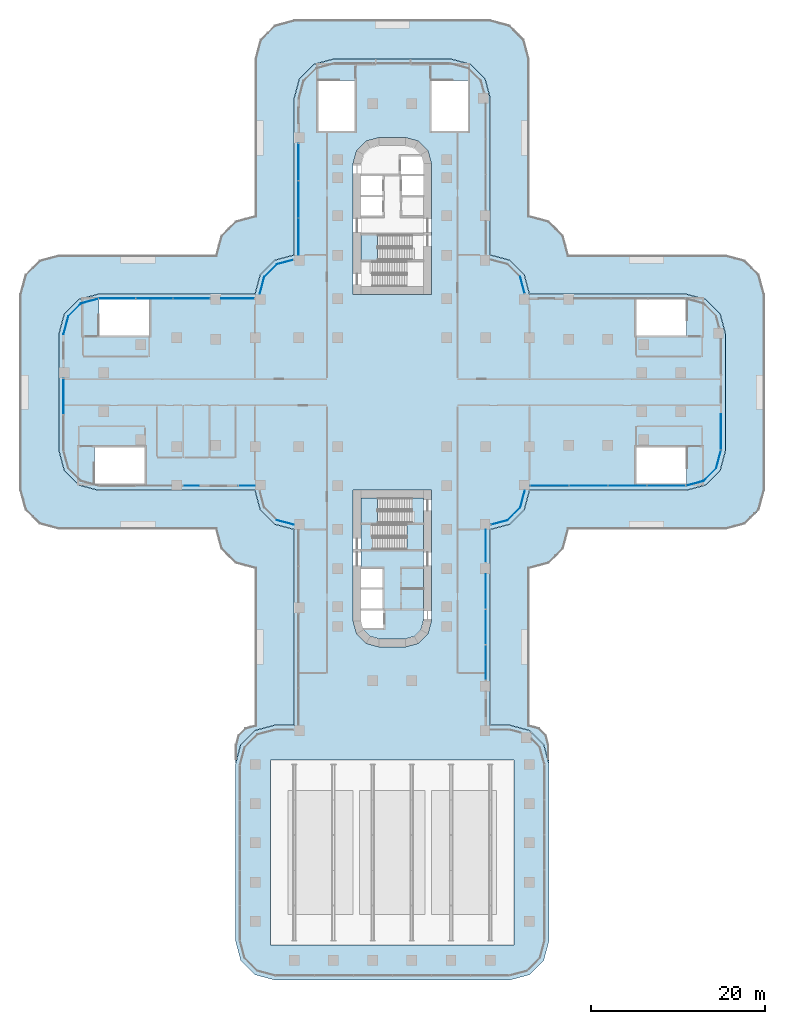
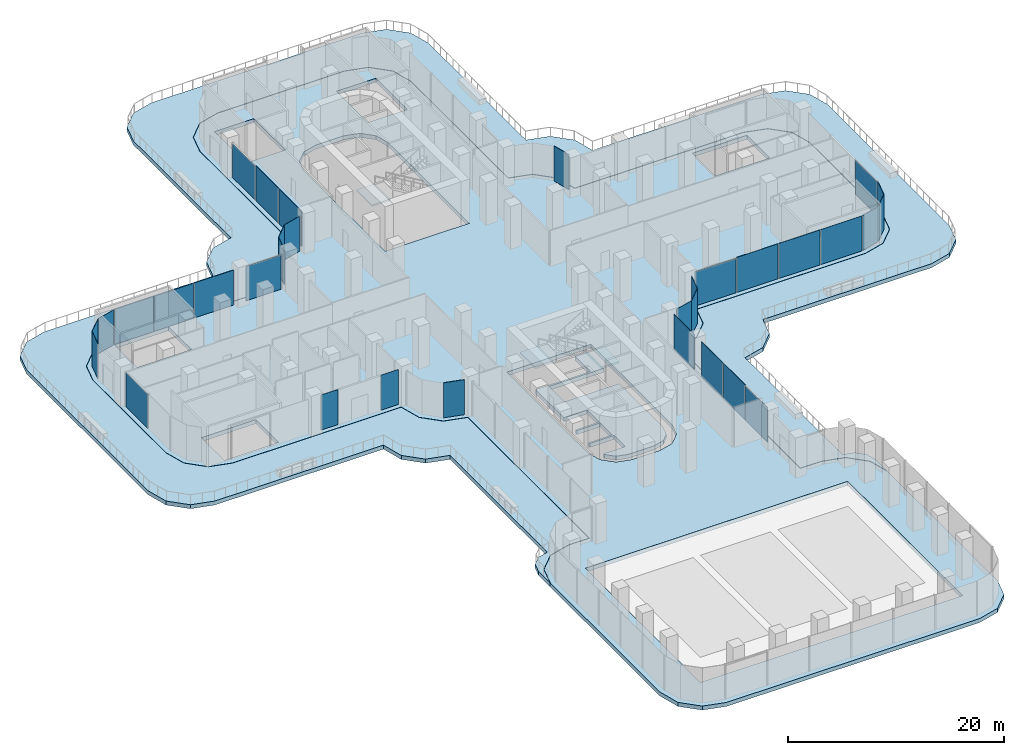
# One storey, part 10 of 21: 33 plates, 6 slabs, 24 elements without a shape of their own.
"""IFC4 building model written with IfcOpenShell, lengths in metres."""

from ifc_helpers import new_model, si_unit, direction, frame, origin, place, context, subcontext, project, spatial, polyline, outline, extrude, source, transform, mapped, material, layer, layer_set, type_object, element, aggregate, save


model = new_model("IFC4")

# Units and contexts
model_context = context("Model", 3, precision=1e-05, world=origin(), true_north=direction((0.0, 1.0)))
body_context = subcontext(model_context, "Body", "Model", "MODEL_VIEW")
ifc_project = project(units=[si_unit("LENGTHUNIT", "METRE"), si_unit("AREAUNIT", "SQUARE_METRE"), si_unit("VOLUMEUNIT", "CUBIC_METRE"), si_unit("PLANEANGLEUNIT", "RADIAN"), si_unit("MASSUNIT", "GRAM", prefix="KILO")], contexts=[model_context])

# Site, building, storey
site_placement = place(None, origin())
site = spatial("IfcSite", under=ifc_project, at=site_placement, CompositionType="ELEMENT")
building_placement = place(site_placement, origin())
building = spatial("IfcBuilding", under=site, at=building_placement, Name="Zarbagh Exchange Tower", CompositionType="ELEMENT")
storey_placement = place(building_placement, frame((0.0, 0.0, 22.0)))
storey = spatial("IfcBuildingStorey", under=building, at=storey_placement, Name="L04", CompositionType="ELEMENT", Elevation=22.0)

# Slabs
ifc_material_1 = material(Name="Concrete C50/60", Category="concrete")
ifc_layer_1 = layer(ifc_material_1, 0.449951171875)
ifc_layer_set_1 = layer_set([ifc_layer_1], Name="Core floor slab 450 C50/60")
slab_type_1 = type_object("IfcSlabType", Name="Core floor slab 450 C50/60", PredefinedType="FLOOR", material=ifc_layer_set_1)
slab_1_placement = place(storey_placement, frame((0.0, 0.0, -0.449951171875)))
element("IfcSlab", 1, at=slab_1_placement, inside=storey, type_object=slab_type_1, Name="S16 core S", PredefinedType="FLOOR", context=body_context, shape_type="SweptSolid", body=[
    extrude(outline(polyline([(-2.5341796875, -28.041259765625), (-3.291259765625, -27.2841796875), (-3.340576171875, -27.10009765625), (-1.0, -27.10009765625), (-1.0, -25.050048828125), (-3.60009765625, -25.050048828125), (-3.60009765625, -24.85009765625), (-1.10009765625, -24.85009765625), (-1.10009765625, -22.64990234375), (-3.60009765625, -22.64990234375), (-3.60009765625, -22.449951171875), (-1.10009765625, -22.449951171875), (-1.10009765625, -20.25), (-3.60009765625, -20.25), (-3.60009765625, -15.0), (2.25, -15.0), (2.25, -12.14990234375), (3.60009765625, -12.14990234375), (3.60009765625, -15.199951171875), (-2.25, -15.199951171875), (-2.25, -18.050048828125), (3.60009765625, -18.050048828125), (3.60009765625, -26.131591796875), (3.291259765625, -27.2841796875), (2.5341796875, -28.041259765625), (1.381591796875, -28.35009765625), (-1.381591796875, -28.35009765625), (-2.5341796875, -28.041259765625)])), origin(), (0.0, 0.0, 1.0), 0.449951171875),
])
ifc_layer_2 = layer(ifc_material_1, 0.449951171875)
ifc_layer_set_2 = layer_set([ifc_layer_2], Name="Flat slab 450 C50/60")
slab_type_2 = type_object("IfcSlabType", Name="Flat slab 450 C50/60", PredefinedType="FLOOR", material=ifc_layer_set_2)
slab_2_placement = place(storey_placement, frame((0.0, 0.0, -0.449951171875)))
element("IfcSlab", 2, at=slab_2_placement, inside=storey, type_object=slab_type_2, Name="S4 flat slab", PredefinedType="FLOOR", context=body_context, shape_type="SweptSolid", body=[
    extrude(outline(polyline([(15.75, -66.897216796875), (13.5, -67.5), (-13.5, -67.5), (-15.75, -66.897216796875), (-17.397216796875, -65.25), (-18.0, -63.0), (-18.0, -42.75), (-17.397216796875, -40.5), (-15.75, -38.852783203125), (-13.5, -38.25), (-11.25, -38.25), (-11.25, -15.75), (-13.5, -15.147216796875), (-15.147216796875, -13.5), (-15.75, -11.25), (-33.75, -11.25), (-36.0, -10.647216796875), (-37.647216796875, -9.0), (-38.25, -6.75), (-38.25, 6.75), (-37.647216796875, 9.0), (-36.0, 10.647216796875), (-33.75, 11.25), (-15.75, 11.25), (-15.147216796875, 13.5), (-13.5, 15.147216796875), (-11.25, 15.75), (-11.25, 33.75), (-10.647216796875, 36.0), (-9.0, 37.647216796875), (-6.75, 38.25), (6.75, 38.25), (9.0, 37.647216796875), (10.647216796875, 36.0), (11.25, 33.75), (11.25, 15.75), (13.5, 15.147216796875), (15.147216796875, 13.5), (15.75, 11.25), (33.75, 11.25), (36.0, 10.647216796875), (37.647216796875, 9.0), (38.25, 6.75), (38.25, -6.75), (37.647216796875, -9.0), (36.0, -10.647216796875), (33.75, -11.25), (15.75, -11.25), (15.147216796875, -13.5), (13.5, -15.147216796875), (11.25, -15.75), (11.25, -38.25), (13.5, -38.25), (15.75, -38.852783203125), (17.397216796875, -40.5), (18.0, -42.75), (18.0, -63.0), (17.397216796875, -65.25), (15.75, -66.897216796875)]), holes=[polyline([(-14.0, -63.5), (14.0, -63.5), (14.0, -42.25), (-14.0, -42.25), (-14.0, -63.5)]), polyline([(4.5, 26.25), (4.09814453125, 27.75), (3.0, 28.84814453125), (1.5, 29.25), (-1.5, 29.25), (-3.0, 28.84814453125), (-4.09814453125, 27.75), (-4.5, 26.25), (-4.5, 11.25), (4.5, 11.25), (4.5, 26.25)]), polyline([(1.5, -29.25), (3.0, -28.84814453125), (4.09814453125, -27.75), (4.5, -26.25), (4.5, -11.25), (-4.5, -11.25), (-4.5, -26.25), (-4.09814453125, -27.75), (-3.0, -28.84814453125), (-1.5, -29.25), (1.5, -29.25)]), polyline([(-34.199951171875, -6.300048828125), (-34.199951171875, -10.5), (-28.39990234375, -10.5), (-28.39990234375, -6.300048828125), (-34.199951171875, -6.300048828125)]), polyline([(28.0, -10.5), (33.800048828125, -10.5), (33.800048828125, -6.300048828125), (28.0, -6.300048828125), (28.0, -10.5)]), polyline([(-27.89990234375, 10.699951171875), (-33.699951171875, 10.699951171875), (-33.699951171875, 6.5), (-27.89990234375, 6.5), (-27.89990234375, 10.699951171875)]), polyline([(33.800048828125, 6.5), (33.800048828125, 10.699951171875), (28.0, 10.699951171875), (28.0, 6.5), (33.800048828125, 6.5)]), polyline([(-4.300048828125, 30.0), (-4.300048828125, 35.800048828125), (-8.5, 35.800048828125), (-8.5, 30.0), (-4.300048828125, 30.0)]), polyline([(8.699951171875, 30.0), (8.699951171875, 35.800048828125), (4.5, 35.800048828125), (4.5, 30.0), (8.699951171875, 30.0)])]), origin(), (0.0, 0.0, 1.0), 0.449951171875),
])
ifc_layer_3 = layer(ifc_material_1, 0.449951171875)
ifc_layer_set_3 = layer_set([ifc_layer_3], Name="Podium terrace roof slab 450 C50/60")
slab_type_3 = type_object("IfcSlabType", Name="Podium terrace roof slab 450 C50/60", PredefinedType="ROOF", material=ifc_layer_set_3)
slab_3_placement = place(storey_placement, frame((0.0, 0.0, -0.449951171875)))
element("IfcSlab", 3, at=slab_3_placement, inside=storey, type_object=slab_type_3, Name="S8 podium terrace roof slab", PredefinedType="ROOF", context=body_context, shape_type="SweptSolid", body=[
    extrude(outline(polyline([(-18.0, -40.5), (-17.698486328125, -39.375), (-16.875, -38.551513671875), (-15.75, -38.25), (-15.75, -20.25), (-18.0, -19.647216796875), (-19.647216796875, -18.0), (-20.25, -15.75), (-38.25, -15.75), (-40.5, -15.147216796875), (-42.147216796875, -13.5), (-42.75, -11.25), (-42.75, 11.25), (-42.147216796875, 13.5), (-40.5, 15.147216796875), (-38.25, 15.75), (-20.25, 15.75), (-19.647216796875, 18.0), (-18.0, 19.647216796875), (-15.75, 20.25), (-15.75, 38.25), (-15.147216796875, 40.5), (-13.5, 42.147216796875), (-11.25, 42.75), (11.25, 42.75), (13.5, 42.147216796875), (15.147216796875, 40.5), (15.75, 38.25), (15.75, 20.25), (18.0, 19.647216796875), (19.647216796875, 18.0), (20.25, 15.75), (38.25, 15.75), (40.5, 15.147216796875), (42.147216796875, 13.5), (42.75, 11.25), (42.75, -11.25), (42.147216796875, -13.5), (40.5, -15.147216796875), (38.25, -15.75), (20.25, -15.75), (19.647216796875, -18.0), (18.0, -19.647216796875), (15.75, -20.25), (15.75, -38.25), (16.875, -38.551513671875), (17.698486328125, -39.375), (18.0, -40.5), (18.0, -42.6533203125), (17.41943359375, -40.487060546875), (15.762939453125, -38.83056640625), (13.50341796875, -38.22509765625), (11.27490234375, -38.22509765625), (11.27490234375, -15.769287109375), (13.512939453125, -15.16943359375), (15.16943359375, -13.512939453125), (15.769287109375, -11.27490234375), (33.75341796875, -11.27490234375), (36.012939453125, -10.66943359375), (37.66943359375, -9.012939453125), (38.27490234375, -6.75341796875), (38.27490234375, 6.75341796875), (37.66943359375, 9.012939453125), (36.012939453125, 10.66943359375), (33.75341796875, 11.27490234375), (15.769287109375, 11.27490234375), (15.16943359375, 13.512939453125), (13.512939453125, 15.16943359375), (11.27490234375, 15.769287109375), (11.27490234375, 33.75341796875), (10.66943359375, 36.012939453125), (9.012939453125, 37.66943359375), (6.75341796875, 38.27490234375), (-6.75341796875, 38.27490234375), (-9.012939453125, 37.66943359375), (-10.66943359375, 36.012939453125), (-11.27490234375, 33.75341796875), (-11.27490234375, 15.769287109375), (-13.512939453125, 15.16943359375), (-15.16943359375, 13.512939453125), (-15.769287109375, 11.27490234375), (-33.75341796875, 11.27490234375), (-36.012939453125, 10.66943359375), (-37.66943359375, 9.012939453125), (-38.27490234375, 6.75341796875), (-38.27490234375, -6.75341796875), (-37.66943359375, -9.012939453125), (-36.012939453125, -10.66943359375), (-33.75341796875, -11.27490234375), (-15.769287109375, -11.27490234375), (-15.16943359375, -13.512939453125), (-13.512939453125, -15.16943359375), (-11.27490234375, -15.769287109375), (-11.27490234375, -38.22509765625), (-13.50341796875, -38.22509765625), (-15.762939453125, -38.83056640625), (-17.41943359375, -40.487060546875), (-18.0, -42.6533203125), (-18.0, -40.5)])), origin(), (0.0, 0.0, 1.0), 0.449951171875),
])

# Stair, slab
ifc_material_2 = material(Name="Concrete C40/50", Category="concrete")
stair_type = type_object("IfcStairType", Name="Exit stair two-flight half-turn", PredefinedType="HALF_TURN_STAIR", material=ifc_material_2)
stair_1_placement = place(storey_placement, origin())
stair_1 = element("IfcStair", 4, at=stair_1_placement, inside=storey, type_object=stair_type, Name="exit stair ST1", PredefinedType="HALF_TURN_STAIR")
ifc_layer_4 = layer(ifc_material_2, 0.199951171875)
ifc_layer_set_4 = layer_set([ifc_layer_4], Name="Stair landing 200 mm")
slab_type_4 = type_object("IfcSlabType", Name="Stair landing 200 mm", PredefinedType="LANDING", material=ifc_layer_set_4)
slab_4_placement = place(storey_placement, frame((0.0, 0.0, 2.300048828125)))
slab_4 = element("IfcSlab", 5, at=slab_4_placement, type_object=slab_type_4, Name="ST1 landing 1", PredefinedType="LANDING", context=body_context, shape_type="SweptSolid", body=[
    extrude(outline(polyline([(-1.669921875, 18.050048828125), (-3.60009765625, 18.050048828125), (-3.60009765625, 15.199951171875), (-1.669921875, 15.199951171875), (-1.669921875, 18.050048828125)])), origin(), (0.0, 0.0, 1.0), 0.199951171875),
])
aggregate(stair_1, [slab_4])

stair_2_placement = place(storey_placement, origin())
stair_2 = element("IfcStair", 6, at=stair_2_placement, inside=storey, type_object=stair_type, Name="exit stair ST3", PredefinedType="HALF_TURN_STAIR")
slab_5_placement = place(storey_placement, frame((0.0, 0.0, 2.300048828125)))
slab_5 = element("IfcSlab", 7, at=slab_5_placement, type_object=slab_type_4, Name="ST3 landing 1", PredefinedType="LANDING", context=body_context, shape_type="SweptSolid", body=[
    extrude(outline(polyline([(1.669921875, -18.050048828125), (3.60009765625, -18.050048828125), (3.60009765625, -15.199951171875), (1.669921875, -15.199951171875), (1.669921875, -18.050048828125)])), origin(), (0.0, 0.0, 1.0), 0.199951171875),
])
aggregate(stair_2, [slab_5])

stair_3_placement = place(storey_placement, origin())
stair_3 = element("IfcStair", 8, at=stair_3_placement, inside=storey, type_object=stair_type, Name="exit stair ST4", PredefinedType="HALF_TURN_STAIR")
slab_6_placement = place(storey_placement, frame((0.0, 0.0, 2.300048828125)))
slab_6 = element("IfcSlab", 9, at=slab_6_placement, type_object=slab_type_4, Name="ST4 landing 1", PredefinedType="LANDING", context=body_context, shape_type="SweptSolid", body=[
    extrude(outline(polyline([(-1.669921875, -12.14990234375), (-3.60009765625, -12.14990234375), (-3.60009765625, -15.0), (-1.669921875, -15.0), (-1.669921875, -12.14990234375)])), origin(), (0.0, 0.0, 1.0), 0.199951171875),
])
aggregate(stair_3, [slab_6])

# Curtain wall, plates
ifc_material_3 = material(Name="Anodised aluminium frame and glazing", Category="aluminium")
curtain_wall_type = type_object("IfcCurtainWallType", Name="CWC Podium garden-wall glazing", PredefinedType="NOTDEFINED", material=ifc_material_3)
curtain_wall_1_placement = place(storey_placement, origin())
curtain_wall_1 = element("IfcCurtainWall", 10, at=curtain_wall_1_placement, inside=storey, type_object=curtain_wall_type, Name="CWC187 curtain wall", PredefinedType="NOTDEFINED")
ifc_material_4 = material(Name="Low-e double glazed unit, 6+12+6 mm")
ifc_layer_5 = layer(ifc_material_4, 0.031982421875)
ifc_layer_set_5 = layer_set([ifc_layer_5], Name="PAC Glazing panel, Low-e double glazed unit, 6+12+6 mm")
plate_type = type_object("IfcPlateType", Name="PAC Glazing panel, Low-e double glazed unit, 6+12+6 mm", PredefinedType="CURTAIN_PANEL", material=ifc_layer_set_5)
shared_shape_1 = source(origin(), body_context, "Body", "SweptSolid", [
    extrude(outline(polyline([(0.0, -0.01611328125), (3.993408203125, -0.01611328125), (3.993408203125, 0.01611328125), (0.0, 0.01611328125), (0.0, -0.01611328125)])), origin(), (0.0, 0.0, 1.0), 3.8701171875),
])
placement = place(storey_placement, origin())
plate_1 = element("IfcPlate", 11, at=placement, type_object=plate_type, Name="CWC187 glazing panel 1.1", PredefinedType="CURTAIN_PANEL", context=body_context, shape_type="MappedRepresentation", body=[
    mapped(shared_shape_1, transform((10.75, -33.030029296875, 0.0), x_axis=(0.0, 1.0, 0.0), y_axis=(-1.0, 0.0, 0.0), z_axis=(0.0, 0.0, 1.0))),
])
shared_shape_2 = source(origin(), body_context, "Body", "SweptSolid", [
    extrude(outline(polyline([(0.0, -0.01611328125), (3.993408203125, -0.01611328125), (3.993408203125, 0.01611328125), (0.0, 0.01611328125), (0.0, -0.01611328125)])), origin(), (0.0, 0.0, 1.0), 3.949951171875),
])
plate_2 = element("IfcPlate", 12, at=placement, type_object=plate_type, Name="CWC187 glazing panel 1.2", PredefinedType="CURTAIN_PANEL", context=body_context, shape_type="MappedRepresentation", body=[
    mapped(shared_shape_2, transform((10.75, -28.956787109375, 0.0), x_axis=(0.0, 1.0, 0.0), y_axis=(-1.0, 0.0, 0.0), z_axis=(0.0, 0.0, 1.0))),
])
plate_3 = element("IfcPlate", 13, at=placement, type_object=plate_type, Name="CWC187 glazing panel 1.3", PredefinedType="CURTAIN_PANEL", context=body_context, shape_type="MappedRepresentation", body=[
    mapped(shared_shape_2, transform((10.75, -24.88330078125, 0.0), x_axis=(0.0, 1.0, 0.0), y_axis=(-1.0, 0.0, 0.0), z_axis=(0.0, 0.0, 1.0))),
])
shared_shape_3 = source(origin(), body_context, "Body", "SweptSolid", [
    extrude(outline(polyline([(0.0, -0.01611328125), (3.739990234375, -0.01611328125), (3.739990234375, 0.01611328125), (0.0, 0.01611328125), (0.0, -0.01611328125)])), origin(), (0.0, 0.0, 1.0), 3.949951171875),
])
plate_4 = element("IfcPlate", 14, at=placement, type_object=plate_type, Name="CWC187 glazing panel 2.1", PredefinedType="CURTAIN_PANEL", context=body_context, shape_type="MappedRepresentation", body=[
    mapped(shared_shape_3, transform((10.75, -19.530029296875, 0.0), x_axis=(0.0, 1.0, 0.0), y_axis=(-1.0, 0.0, 0.0), z_axis=(0.0, 0.0, 1.0))),
])
aggregate(curtain_wall_1, [plate_1, plate_2, plate_3, plate_4])

# Curtain wall, plate
curtain_wall_2_placement = place(storey_placement, origin())
curtain_wall_2 = element("IfcCurtainWall", 15, at=curtain_wall_2_placement, inside=storey, type_object=curtain_wall_type, Name="CWC188 curtain wall", PredefinedType="NOTDEFINED")
shared_shape_4 = source(origin(), body_context, "Body", "SweptSolid", [
    extrude(outline(polyline([(0.0, -0.01611328125), (1.93994140625, -0.01611328125), (1.93994140625, 0.01611328125), (0.0, 0.01611328125), (0.0, -0.01611328125)])), origin(), (0.0, 0.0, 1.0), 3.949951171875),
])
plate_5 = element("IfcPlate", 16, at=placement, type_object=plate_type, Name="CWC188 glazing panel 1.1", PredefinedType="CURTAIN_PANEL", context=body_context, shape_type="MappedRepresentation", body=[
    mapped(shared_shape_4, transform((11.367431640625, -15.200927734375, 0.0), x_axis=(0.965924289636, 0.258824779902, 0.0), y_axis=(-0.258824779902, 0.965924289636, 0.0), z_axis=(0.0, 0.0, 1.0))),
])
aggregate(curtain_wall_2, [plate_5])

curtain_wall_3_placement = place(storey_placement, origin())
curtain_wall_3 = element("IfcCurtainWall", 17, at=curtain_wall_3_placement, inside=storey, type_object=curtain_wall_type, Name="CWC200 curtain wall", PredefinedType="NOTDEFINED")
plate_6 = element("IfcPlate", 18, at=placement, type_object=plate_type, Name="CWC200 glazing panel 1.1", PredefinedType="CURTAIN_PANEL", context=body_context, shape_type="MappedRepresentation", body=[
    mapped(shared_shape_4, transform((15.200927734375, 11.367431640625, 0.0), x_axis=(-0.258824779902, 0.965924289636, 0.0), y_axis=(-0.965924289636, -0.258824779902, 0.0), z_axis=(0.0, 0.0, 1.0))),
])
aggregate(curtain_wall_3, [plate_6])

curtain_wall_4_placement = place(storey_placement, origin())
curtain_wall_4 = element("IfcCurtainWall", 19, at=curtain_wall_4_placement, inside=storey, type_object=curtain_wall_type, Name="CWC212 curtain wall", PredefinedType="NOTDEFINED")
plate_7 = element("IfcPlate", 20, at=placement, type_object=plate_type, Name="CWC212 glazing panel 1.1", PredefinedType="CURTAIN_PANEL", context=body_context, shape_type="MappedRepresentation", body=[
    mapped(shared_shape_4, transform((-11.367431640625, 15.200927734375, 0.0), x_axis=(-0.965924289636, -0.258824779902, 0.0), y_axis=(0.258824779902, -0.965924289636, 0.0), z_axis=(0.0, 0.0, 1.0))),
])
aggregate(curtain_wall_4, [plate_7])

curtain_wall_5_placement = place(storey_placement, origin())
curtain_wall_5 = element("IfcCurtainWall", 21, at=curtain_wall_5_placement, inside=storey, type_object=curtain_wall_type, Name="CWC189 curtain wall", PredefinedType="NOTDEFINED")
shared_shape_5 = source(origin(), body_context, "Body", "SweptSolid", [
    extrude(outline(polyline([(0.0, -0.01611328125), (2.061279296875, -0.01611328125), (2.061279296875, 0.01611328125), (0.0, 0.01611328125), (0.0, -0.01611328125)])), origin(), (0.0, 0.0, 1.0), 3.949951171875),
])
plate_8 = element("IfcPlate", 22, at=placement, type_object=plate_type, Name="CWC189 glazing panel 1.1", PredefinedType="CURTAIN_PANEL", context=body_context, shape_type="MappedRepresentation", body=[
    mapped(shared_shape_5, transform((13.2412109375, -14.69873046875, 0.0), x_axis=(0.707106781187, 0.707106781187, 0.0), y_axis=(-0.707106781187, 0.707106781187, 0.0), z_axis=(0.0, 0.0, 1.0))),
])
aggregate(curtain_wall_5, [plate_8])

curtain_wall_6_placement = place(storey_placement, origin())
curtain_wall_6 = element("IfcCurtainWall", 23, at=curtain_wall_6_placement, inside=storey, type_object=curtain_wall_type, Name="CWC193 curtain wall", PredefinedType="NOTDEFINED")
plate_9 = element("IfcPlate", 24, at=placement, type_object=plate_type, Name="CWC193 glazing panel 1.1", PredefinedType="CURTAIN_PANEL", context=body_context, shape_type="MappedRepresentation", body=[
    mapped(shared_shape_5, transform((35.7412109375, -10.19873046875, 0.0), x_axis=(0.707106781187, 0.707106781187, 0.0), y_axis=(-0.707106781187, 0.707106781187, 0.0), z_axis=(0.0, 0.0, 1.0))),
])
aggregate(curtain_wall_6, [plate_9])

curtain_wall_7_placement = place(storey_placement, origin())
curtain_wall_7 = element("IfcCurtainWall", 25, at=curtain_wall_7_placement, inside=storey, type_object=curtain_wall_type, Name="CWC213 curtain wall", PredefinedType="NOTDEFINED")
plate_10 = element("IfcPlate", 26, at=placement, type_object=plate_type, Name="CWC213 glazing panel 1.1", PredefinedType="CURTAIN_PANEL", context=body_context, shape_type="MappedRepresentation", body=[
    mapped(shared_shape_5, transform((-13.2412109375, 14.69873046875, 0.0), x_axis=(-0.707106781187, -0.707106781187, 0.0), y_axis=(0.707106781187, -0.707106781187, 0.0), z_axis=(0.0, 0.0, 1.0))),
])
aggregate(curtain_wall_7, [plate_10])

curtain_wall_8_placement = place(storey_placement, origin())
curtain_wall_8 = element("IfcCurtainWall", 27, at=curtain_wall_8_placement, inside=storey, type_object=curtain_wall_type, Name="CWC217 curtain wall", PredefinedType="NOTDEFINED")
plate_11 = element("IfcPlate", 28, at=placement, type_object=plate_type, Name="CWC217 glazing panel 1.1", PredefinedType="CURTAIN_PANEL", context=body_context, shape_type="MappedRepresentation", body=[
    mapped(shared_shape_5, transform((-35.7412109375, 10.19873046875, 0.0), x_axis=(-0.707106781187, -0.707106781187, 0.0), y_axis=(0.707106781187, -0.707106781187, 0.0), z_axis=(0.0, 0.0, 1.0))),
])
aggregate(curtain_wall_8, [plate_11])

curtain_wall_9_placement = place(storey_placement, origin())
curtain_wall_9 = element("IfcCurtainWall", 29, at=curtain_wall_9_placement, inside=storey, type_object=curtain_wall_type, Name="CWC190 curtain wall", PredefinedType="NOTDEFINED")
shared_shape_6 = source(origin(), body_context, "Body", "SweptSolid", [
    extrude(outline(polyline([(0.0, -0.01611328125), (2.02001953125, -0.01611328125), (2.02001953125, 0.01611328125), (0.0, 0.01611328125), (0.0, -0.01611328125)])), origin(), (0.0, 0.0, 1.0), 3.949951171875),
])
plate_12 = element("IfcPlate", 30, at=placement, type_object=plate_type, Name="CWC190 glazing panel 1.1", PredefinedType="CURTAIN_PANEL", context=body_context, shape_type="MappedRepresentation", body=[
    mapped(shared_shape_6, transform((14.69873046875, -13.2412109375, 0.0), x_axis=(0.258824779902, 0.965924289636, 0.0), y_axis=(-0.965924289636, 0.258824779902, 0.0), z_axis=(0.0, 0.0, 1.0))),
])
aggregate(curtain_wall_9, [plate_12])

curtain_wall_10_placement = place(storey_placement, origin())
curtain_wall_10 = element("IfcCurtainWall", 31, at=curtain_wall_10_placement, inside=storey, type_object=curtain_wall_type, Name="CWC214 curtain wall", PredefinedType="NOTDEFINED")
plate_13 = element("IfcPlate", 32, at=placement, type_object=plate_type, Name="CWC214 glazing panel 1.1", PredefinedType="CURTAIN_PANEL", context=body_context, shape_type="MappedRepresentation", body=[
    mapped(shared_shape_6, transform((-14.69873046875, 13.2412109375, 0.0), x_axis=(-0.258824779902, -0.965924289636, 0.0), y_axis=(0.965924289636, -0.258824779902, 0.0), z_axis=(0.0, 0.0, 1.0))),
])
aggregate(curtain_wall_10, [plate_13])

curtain_wall_11_placement = place(storey_placement, origin())
curtain_wall_11 = element("IfcCurtainWall", 33, at=curtain_wall_11_placement, inside=storey, type_object=curtain_wall_type, Name="CWC226 curtain wall", PredefinedType="NOTDEFINED")
plate_14 = element("IfcPlate", 34, at=placement, type_object=plate_type, Name="CWC226 glazing panel 1.1", PredefinedType="CURTAIN_PANEL", context=body_context, shape_type="MappedRepresentation", body=[
    mapped(shared_shape_6, transform((-13.2412109375, -14.69873046875, 0.0), x_axis=(0.965924289636, -0.258824779902, 0.0), y_axis=(0.258824779902, 0.965924289636, 0.0), z_axis=(0.0, 0.0, 1.0))),
])
aggregate(curtain_wall_11, [plate_14])

# Curtain wall, plates
curtain_wall_12_placement = place(storey_placement, origin())
curtain_wall_12 = element("IfcCurtainWall", 35, at=curtain_wall_12_placement, inside=storey, type_object=curtain_wall_type, Name="CWC191 curtain wall", PredefinedType="NOTDEFINED")
shared_shape_7 = source(origin(), body_context, "Body", "SweptSolid", [
    extrude(outline(polyline([(0.0, -0.01611328125), (4.3935546875, -0.01611328125), (4.3935546875, 0.01611328125), (0.0, 0.01611328125), (0.0, -0.01611328125)])), origin(), (0.0, 0.0, 1.0), 3.8701171875),
])
plate_15 = element("IfcPlate", 36, at=placement, type_object=plate_type, Name="CWC191 glazing panel 1.1", PredefinedType="CURTAIN_PANEL", context=body_context, shape_type="MappedRepresentation", body=[
    mapped(shared_shape_7, transform((15.8701171875, -10.75, 0.0), x_axis=(1.0, 0.0, 0.0), y_axis=(0.0, 1.0, 0.0), z_axis=(0.0, 0.0, 1.0))),
])
shared_shape_8 = source(origin(), body_context, "Body", "SweptSolid", [
    extrude(outline(polyline([(0.0, -0.01611328125), (4.3935546875, -0.01611328125), (4.3935546875, 0.01611328125), (0.0, 0.01611328125), (0.0, -0.01611328125)])), origin(), (0.0, 0.0, 1.0), 3.949951171875),
])
plate_16 = element("IfcPlate", 37, at=placement, type_object=plate_type, Name="CWC191 glazing panel 1.2", PredefinedType="CURTAIN_PANEL", context=body_context, shape_type="MappedRepresentation", body=[
    mapped(shared_shape_8, transform((20.343505859375, -10.75, 0.0), x_axis=(1.0, 0.0, 0.0), y_axis=(0.0, 1.0, 0.0), z_axis=(0.0, 0.0, 1.0))),
])
plate_17 = element("IfcPlate", 38, at=placement, type_object=plate_type, Name="CWC191 glazing panel 1.3", PredefinedType="CURTAIN_PANEL", context=body_context, shape_type="MappedRepresentation", body=[
    mapped(shared_shape_8, transform((24.817138671875, -10.75, 0.0), x_axis=(1.0, 0.0, 0.0), y_axis=(0.0, 1.0, 0.0), z_axis=(0.0, 0.0, 1.0))),
])
plate_18 = element("IfcPlate", 39, at=placement, type_object=plate_type, Name="CWC191 glazing panel 1.4", PredefinedType="CURTAIN_PANEL", context=body_context, shape_type="MappedRepresentation", body=[
    mapped(shared_shape_8, transform((29.29052734375, -10.75, 0.0), x_axis=(1.0, 0.0, 0.0), y_axis=(0.0, 1.0, 0.0), z_axis=(0.0, 0.0, 1.0))),
])
aggregate(curtain_wall_12, [plate_15, plate_16, plate_17, plate_18])

# Curtain wall, plate
curtain_wall_13_placement = place(storey_placement, origin())
curtain_wall_13 = element("IfcCurtainWall", 40, at=curtain_wall_13_placement, inside=storey, type_object=curtain_wall_type, Name="CWC192 curtain wall", PredefinedType="NOTDEFINED")
shared_shape_9 = source(origin(), body_context, "Body", "SweptSolid", [
    extrude(outline(polyline([(0.0, -0.01611328125), (2.049560546875, -0.01611328125), (2.049560546875, 0.01611328125), (0.0, 0.01611328125), (0.0, -0.01611328125)])), origin(), (0.0, 0.0, 1.0), 3.949951171875),
])
plate_19 = element("IfcPlate", 41, at=placement, type_object=plate_type, Name="CWC192 glazing panel 1.1", PredefinedType="CURTAIN_PANEL", context=body_context, shape_type="MappedRepresentation", body=[
    mapped(shared_shape_9, transform((33.761474609375, -10.729248046875, 0.0), x_axis=(0.965924289636, 0.258824779902, 0.0), y_axis=(-0.258824779902, 0.965924289636, 0.0), z_axis=(0.0, 0.0, 1.0))),
])
aggregate(curtain_wall_13, [plate_19])

curtain_wall_14_placement = place(storey_placement, origin())
curtain_wall_14 = element("IfcCurtainWall", 42, at=curtain_wall_14_placement, inside=storey, type_object=curtain_wall_type, Name="CWC216 curtain wall", PredefinedType="NOTDEFINED")
plate_20 = element("IfcPlate", 43, at=placement, type_object=plate_type, Name="CWC216 glazing panel 1.1", PredefinedType="CURTAIN_PANEL", context=body_context, shape_type="MappedRepresentation", body=[
    mapped(shared_shape_9, transform((-33.761474609375, 10.729248046875, 0.0), x_axis=(-0.965924289636, -0.258824779902, 0.0), y_axis=(0.258824779902, -0.965924289636, 0.0), z_axis=(0.0, 0.0, 1.0))),
])
aggregate(curtain_wall_14, [plate_20])

curtain_wall_15_placement = place(storey_placement, origin())
curtain_wall_15 = element("IfcCurtainWall", 44, at=curtain_wall_15_placement, inside=storey, type_object=curtain_wall_type, Name="CWC194 curtain wall", PredefinedType="NOTDEFINED")
shared_shape_10 = source(origin(), body_context, "Body", "SweptSolid", [
    extrude(outline(polyline([(0.0, -0.01611328125), (2.129638671875, -0.01611328125), (2.129638671875, 0.01611328125), (0.0, 0.01611328125), (0.0, -0.01611328125)])), origin(), (0.0, 0.0, 1.0), 3.949951171875),
])
plate_21 = element("IfcPlate", 45, at=placement, type_object=plate_type, Name="CWC194 glazing panel 1.1", PredefinedType="CURTAIN_PANEL", context=body_context, shape_type="MappedRepresentation", body=[
    mapped(shared_shape_10, transform((37.19873046875, -8.7412109375, 0.0), x_axis=(0.258824779902, 0.965924289636, 0.0), y_axis=(-0.965924289636, 0.258824779902, 0.0), z_axis=(0.0, 0.0, 1.0))),
])
aggregate(curtain_wall_15, [plate_21])

curtain_wall_16_placement = place(storey_placement, origin())
curtain_wall_16 = element("IfcCurtainWall", 46, at=curtain_wall_16_placement, inside=storey, type_object=curtain_wall_type, Name="CWC218 curtain wall", PredefinedType="NOTDEFINED")
plate_22 = element("IfcPlate", 47, at=placement, type_object=plate_type, Name="CWC218 glazing panel 1.1", PredefinedType="CURTAIN_PANEL", context=body_context, shape_type="MappedRepresentation", body=[
    mapped(shared_shape_10, transform((-37.19873046875, 8.7412109375, 0.0), x_axis=(-0.258824779902, -0.965924289636, 0.0), y_axis=(0.965924289636, -0.258824779902, 0.0), z_axis=(0.0, 0.0, 1.0))),
])
aggregate(curtain_wall_16, [plate_22])

curtain_wall_17_placement = place(storey_placement, origin())
curtain_wall_17 = element("IfcCurtainWall", 48, at=curtain_wall_17_placement, inside=storey, type_object=curtain_wall_type, Name="CWC195 curtain wall", PredefinedType="NOTDEFINED")
shared_shape_11 = source(origin(), body_context, "Body", "SweptSolid", [
    extrude(outline(polyline([(0.0, -0.01611328125), (4.067138671875, -0.01611328125), (4.067138671875, 0.01611328125), (0.0, 0.01611328125), (0.0, -0.01611328125)])), origin(), (0.0, 0.0, 1.0), 3.8701171875),
])
plate_23 = element("IfcPlate", 49, at=placement, type_object=plate_type, Name="CWC195 glazing panel 1.1", PredefinedType="CURTAIN_PANEL", context=body_context, shape_type="MappedRepresentation", body=[
    mapped(shared_shape_11, transform((37.75, -6.604248046875, 0.0), x_axis=(0.0, 1.0, 0.0), y_axis=(-1.0, 0.0, 0.0), z_axis=(0.0, 0.0, 1.0))),
])
aggregate(curtain_wall_17, [plate_23])

curtain_wall_18_placement = place(storey_placement, origin())
curtain_wall_18 = element("IfcCurtainWall", 50, at=curtain_wall_18_placement, inside=storey, type_object=curtain_wall_type, Name="CWC219 curtain wall", PredefinedType="NOTDEFINED")
plate_24 = element("IfcPlate", 51, at=placement, type_object=plate_type, Name="CWC219 glazing panel 1.1", PredefinedType="CURTAIN_PANEL", context=body_context, shape_type="MappedRepresentation", body=[
    mapped(shared_shape_11, transform((-37.75, 1.530029296875, 0.0), x_axis=(0.0, -1.0, 0.0), y_axis=(1.0, 0.0, 0.0), z_axis=(0.0, 0.0, 1.0))),
])
aggregate(curtain_wall_18, [plate_24])

# Curtain wall, plates
curtain_wall_19_placement = place(storey_placement, origin())
curtain_wall_19 = element("IfcCurtainWall", 52, at=curtain_wall_19_placement, inside=storey, type_object=curtain_wall_type, Name="CWC215 curtain wall", PredefinedType="NOTDEFINED")
shared_shape_12 = source(origin(), body_context, "Body", "SweptSolid", [
    extrude(outline(polyline([(0.0, -0.01611328125), (4.184814453125, -0.01611328125), (4.184814453125, 0.01611328125), (0.0, 0.01611328125), (0.0, -0.01611328125)])), origin(), (0.0, 0.0, 1.0), 3.949951171875),
])
plate_25 = element("IfcPlate", 53, at=placement, type_object=plate_type, Name="CWC215 glazing panel 2.1", PredefinedType="CURTAIN_PANEL", context=body_context, shape_type="MappedRepresentation", body=[
    mapped(shared_shape_12, transform((-20.969970703125, 10.75, 0.0), x_axis=(-1.0, 0.0, 0.0), y_axis=(0.0, -1.0, 0.0), z_axis=(0.0, 0.0, 1.0))),
])
plate_26 = element("IfcPlate", 54, at=placement, type_object=plate_type, Name="CWC215 glazing panel 2.2", PredefinedType="CURTAIN_PANEL", context=body_context, shape_type="MappedRepresentation", body=[
    mapped(shared_shape_12, transform((-25.234619140625, 10.75, 0.0), x_axis=(-1.0, 0.0, 0.0), y_axis=(0.0, -1.0, 0.0), z_axis=(0.0, 0.0, 1.0))),
])
plate_27 = element("IfcPlate", 55, at=placement, type_object=plate_type, Name="CWC215 glazing panel 2.3", PredefinedType="CURTAIN_PANEL", context=body_context, shape_type="MappedRepresentation", body=[
    mapped(shared_shape_12, transform((-29.49951171875, 10.75, 0.0), x_axis=(-1.0, 0.0, 0.0), y_axis=(0.0, -1.0, 0.0), z_axis=(0.0, 0.0, 1.0))),
])
shared_shape_13 = source(origin(), body_context, "Body", "SweptSolid", [
    extrude(outline(polyline([(0.0, -0.01611328125), (3.739990234375, -0.01611328125), (3.739990234375, 0.01611328125), (0.0, 0.01611328125), (0.0, -0.01611328125)])), origin(), (0.0, 0.0, 1.0), 3.8701171875),
])
plate_28 = element("IfcPlate", 56, at=placement, type_object=plate_type, Name="CWC215 glazing panel 1.1", PredefinedType="CURTAIN_PANEL", context=body_context, shape_type="MappedRepresentation", body=[
    mapped(shared_shape_13, transform((-15.8701171875, 10.75, 0.0), x_axis=(-1.0, 0.0, 0.0), y_axis=(0.0, -1.0, 0.0), z_axis=(0.0, 0.0, 1.0))),
])
aggregate(curtain_wall_19, [plate_28, plate_25, plate_26, plate_27])

curtain_wall_20_placement = place(storey_placement, origin())
curtain_wall_20 = element("IfcCurtainWall", 57, at=curtain_wall_20_placement, inside=storey, type_object=curtain_wall_type, Name="CWC211 curtain wall", PredefinedType="NOTDEFINED")
shared_shape_14 = source(origin(), body_context, "Body", "SweptSolid", [
    extrude(outline(polyline([(0.0, -0.01611328125), (4.193359375, -0.01611328125), (4.193359375, 0.01611328125), (0.0, 0.01611328125), (0.0, -0.01611328125)])), origin(), (0.0, 0.0, 1.0), 3.8701171875),
])
plate_29 = element("IfcPlate", 58, at=placement, type_object=plate_type, Name="CWC211 glazing panel 1.1", PredefinedType="CURTAIN_PANEL", context=body_context, shape_type="MappedRepresentation", body=[
    mapped(shared_shape_14, transform((-10.75, 28.530029296875, 0.0), x_axis=(0.0, -1.0, 0.0), y_axis=(1.0, 0.0, 0.0), z_axis=(0.0, 0.0, 1.0))),
])
shared_shape_15 = source(origin(), body_context, "Body", "SweptSolid", [
    extrude(outline(polyline([(0.0, -0.01611328125), (4.193359375, -0.01611328125), (4.193359375, 0.01611328125), (0.0, 0.01611328125), (0.0, -0.01611328125)])), origin(), (0.0, 0.0, 1.0), 3.949951171875),
])
plate_30 = element("IfcPlate", 59, at=placement, type_object=plate_type, Name="CWC211 glazing panel 1.2", PredefinedType="CURTAIN_PANEL", context=body_context, shape_type="MappedRepresentation", body=[
    mapped(shared_shape_15, transform((-10.75, 24.256591796875, 0.0), x_axis=(0.0, -1.0, 0.0), y_axis=(1.0, 0.0, 0.0), z_axis=(0.0, 0.0, 1.0))),
])
plate_31 = element("IfcPlate", 60, at=placement, type_object=plate_type, Name="CWC211 glazing panel 1.3", PredefinedType="CURTAIN_PANEL", context=body_context, shape_type="MappedRepresentation", body=[
    mapped(shared_shape_15, transform((-10.75, 19.9833984375, 0.0), x_axis=(0.0, -1.0, 0.0), y_axis=(1.0, 0.0, 0.0), z_axis=(0.0, 0.0, 1.0))),
])
aggregate(curtain_wall_20, [plate_29, plate_30, plate_31])

curtain_wall_21_placement = place(storey_placement, origin())
curtain_wall_21 = element("IfcCurtainWall", 61, at=curtain_wall_21_placement, inside=storey, type_object=curtain_wall_type, Name="CWC223 curtain wall", PredefinedType="NOTDEFINED")
shared_shape_16 = source(origin(), body_context, "Body", "SweptSolid", [
    extrude(outline(polyline([(0.0, -0.01611328125), (1.830078125, -0.01611328125), (1.830078125, 0.01611328125), (0.0, 0.01611328125), (0.0, -0.01611328125)])), origin(), (0.0, 0.0, 1.0), 3.949951171875),
])
plate_32 = element("IfcPlate", 62, at=placement, type_object=plate_type, Name="CWC223 glazing panel 2.1", PredefinedType="CURTAIN_PANEL", context=body_context, shape_type="MappedRepresentation", body=[
    mapped(shared_shape_16, transform((-24.030029296875, -10.75, 0.0), x_axis=(1.0, 0.0, 0.0), y_axis=(0.0, 1.0, 0.0), z_axis=(0.0, 0.0, 1.0))),
])
plate_33 = element("IfcPlate", 63, at=placement, type_object=plate_type, Name="CWC223 glazing panel 3.1", PredefinedType="CURTAIN_PANEL", context=body_context, shape_type="MappedRepresentation", body=[
    mapped(shared_shape_16, transform((-17.619873046875, -10.75, 0.0), x_axis=(1.0, 0.0, 0.0), y_axis=(0.0, 1.0, 0.0), z_axis=(0.0, 0.0, 1.0))),
])
aggregate(curtain_wall_21, [plate_32, plate_33])

save(model, "model.ifc")
